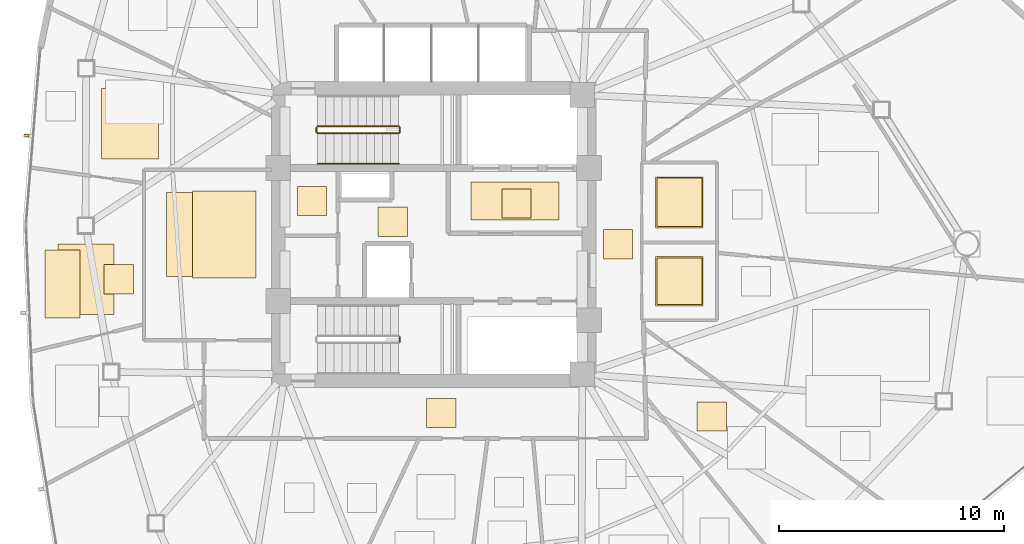
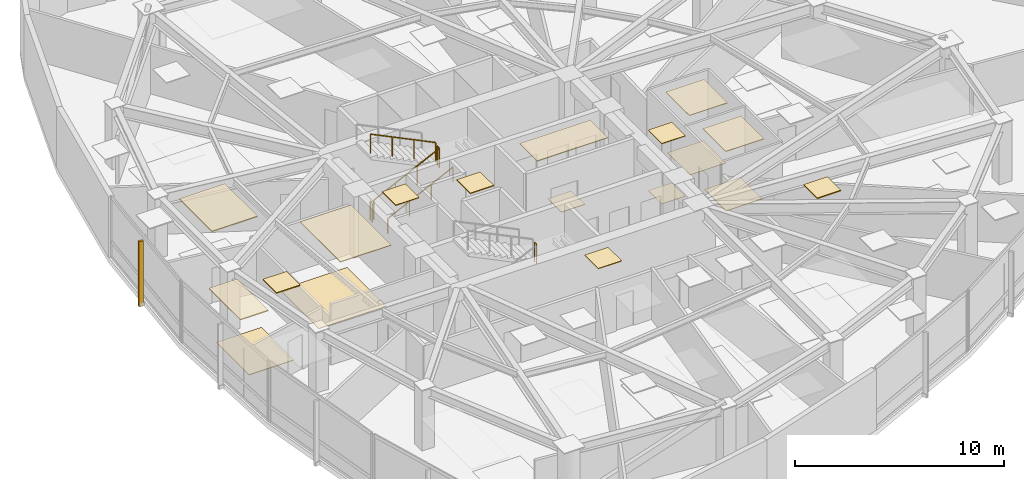
# One storey, part 15 of 17: 18 coverings, 6 railings, 1 shading device.
"""IFC4 building model written with IfcOpenShell, lengths in metres."""

from ifc_helpers import new_model, si_unit, direction, frame, origin, origin_2d, place, context, subcontext, project, spatial, polyline, rectangle, outline, extrude, source, transform, mapped, material, layer, layer_set, type_object, type_shapes, element, save


model = new_model("IFC4")

# Units and contexts
model_context = context("Model", 3, precision=1e-05, world=origin(), true_north=direction((0.0, 1.0)))
body_context = subcontext(model_context, "Body", "Model", "MODEL_VIEW")
ifc_project = project(units=[si_unit("LENGTHUNIT", "METRE"), si_unit("AREAUNIT", "SQUARE_METRE"), si_unit("VOLUMEUNIT", "CUBIC_METRE"), si_unit("PLANEANGLEUNIT", "RADIAN"), si_unit("MASSUNIT", "GRAM", prefix="KILO")], contexts=[model_context])

# Site, building, storey
site_placement = place(None, origin())
site = spatial("IfcSite", under=ifc_project, at=site_placement, CompositionType="ELEMENT")
building_placement = place(site_placement, origin())
building = spatial("IfcBuilding", under=site, at=building_placement, Name="Tavelor Broadcast Tower", CompositionType="ELEMENT")
storey_placement = place(building_placement, frame((0.0, 0.0, 154.10009765625)))
storey = spatial("IfcBuildingStorey", under=building, at=storey_placement, Name="L36", CompositionType="ELEMENT", Elevation=154.10009765625)

# Coverings
ifc_material_1 = material(Name="Copper-Bronze Anodized Aluminium", Category="aluminium")
ifc_layer_1 = layer(ifc_material_1, 0.044921875)
ifc_layer_set_1 = layer_set([ifc_layer_1], Name="Copper-Bronze Anodized Aluminium")
covering_type_1 = type_object("IfcCoveringType", Name="Anodised Bronze Linear Slatted Concourse Ceiling 45 mm", PredefinedType="CEILING", material=ifc_layer_set_1)
covering_1_placement = place(storey_placement, frame((0.0, 0.0, 3.5048828125)))
element("IfcCovering", 1, at=covering_1_placement, inside=storey, type_object=covering_type_1, Name="L36 Suspended Acoustic Ceiling 1466", PredefinedType="CEILING", context=body_context, shape_type="SweptSolid", body=[
    extrude(outline(polyline([(51.659912109375, 45.654296875), (55.55712890625, 45.654296875), (55.55712890625, 47.331787109375), (51.659912109375, 47.331787109375), (51.659912109375, 45.654296875)])), origin(), (0.0, 0.0, 1.0), 0.044921875),
])
covering_2_placement = place(storey_placement, frame((0.0, 0.0, 3.5048828125)))
element("IfcCovering", 2, at=covering_2_placement, inside=storey, type_object=covering_type_1, Name="L36 Suspended Acoustic Ceiling 1467", PredefinedType="CEILING", context=body_context, shape_type="SweptSolid", body=[
    extrude(outline(polyline([(47.5400390625, 44.919921875), (48.840087890625, 44.919921875), (48.840087890625, 46.219970703125), (47.5400390625, 46.219970703125), (47.5400390625, 44.919921875)])), origin(), (0.0, 0.0, 1.0), 0.044921875),
])

# Railing
ifc_material_2 = material(Name="Steel S355", Category="steel")
railing_type_1 = type_object("IfcRailingType", Name="Continuous Brushed Stainless Handrail 900 mm", PredefinedType="HANDRAIL", material=ifc_material_2)
railing_1_placement = place(storey_placement, frame((44.85009765625, 48.14990234375, 0.1748046875)))
element("IfcRailing", 3, at=railing_1_placement, inside=storey, type_object=railing_type_1, Name="L36 ST1 stair handrail 1", PredefinedType="HANDRAIL", context=body_context, shape_type="SweptSolid", body=[
    extrude(rectangle(XDim=0.048095703125, YDim=0.048095703125, at=origin_2d()), frame((0.0, 0.0, 0.8759765625), z_axis=(0.899360859046, 0.0, 0.437207096483), x_axis=(0.0, 1.0, 0.0)), (0.0, 0.0, 1.0), 4.002685546875),
    extrude(rectangle(XDim=0.0419921875, YDim=0.0419921875, at=origin_2d()), origin(), (0.0, 0.0, 1.0), 0.851806640625),
    extrude(rectangle(XDim=0.0419921875, YDim=0.0419921875, at=origin_2d()), frame((1.199951171875, 0.0, 0.583251953125)), (0.0, 0.0, 1.0), 0.851806640625),
    extrude(rectangle(XDim=0.0419921875, YDim=0.0419921875, at=origin_2d()), frame((2.39990234375, 0.0, 1.166748046875)), (0.0, 0.0, 1.0), 0.851806640625),
    extrude(rectangle(XDim=0.0419921875, YDim=0.0419921875, at=origin_2d()), frame((3.599853515625, 0.0, 1.75)), (0.0, 0.0, 1.0), 0.851806640625),
])

# Coverings
ifc_material_3 = material(Name="Architectural Anodized Aluminium", Category="aluminium")
ifc_layer_2 = layer(ifc_material_3, 0.034912109375)
ifc_layer_set_2 = layer_set([ifc_layer_2], Name="Architectural Anodized Aluminium")
covering_type_2 = type_object("IfcCoveringType", Name="Demountable Metal Tile Corridor Ceiling 35 mm", PredefinedType="CEILING", material=ifc_layer_set_2)
covering_3_placement = place(storey_placement, frame((0.0, 0.0, 3.514892578125)))
element("IfcCovering", 4, at=covering_3_placement, inside=storey, type_object=covering_type_2, Name="L36 Suspended Acoustic Ceiling 1469", PredefinedType="CEILING", context=body_context, shape_type="SweptSolid", body=[
    extrude(outline(polyline([(57.5400390625, 43.925048828125), (58.840087890625, 43.925048828125), (58.840087890625, 45.22509765625), (57.5400390625, 45.22509765625), (57.5400390625, 43.925048828125)])), origin(), (0.0, 0.0, 1.0), 0.034912109375),
])
covering_4_placement = place(storey_placement, frame((0.0, 0.0, 3.514892578125)))
element("IfcCovering", 5, at=covering_4_placement, inside=storey, type_object=covering_type_2, Name="L36 Suspended Acoustic Ceiling 1470", PredefinedType="CEILING", context=body_context, shape_type="SweptSolid", body=[
    extrude(outline(polyline([(49.694091796875, 36.425048828125), (50.994140625, 36.425048828125), (50.994140625, 37.72509765625), (49.694091796875, 37.72509765625), (49.694091796875, 36.425048828125)])), origin(), (0.0, 0.0, 1.0), 0.034912109375),
])
ifc_material_4 = material(Name="Acoustic Nylon Carpet Tile")
ifc_layer_3 = layer(ifc_material_4, 0.02001953125)
ifc_layer_set_3 = layer_set([ifc_layer_3], Name="Acoustic Nylon Carpet Tile")
covering_type_3 = type_object("IfcCoveringType", Name="Heavy-Duty Acoustic Broadcast Carpet Tile 20 mm", PredefinedType="FLOORING", material=ifc_layer_set_3)
covering_5_placement = place(storey_placement, origin())
element("IfcCovering", 6, at=covering_5_placement, inside=storey, type_object=covering_type_3, Name="L36 Broadcast Floor Finish 0516", PredefinedType="FLOORING", context=body_context, shape_type="SweptSolid", body=[
    extrude(outline(polyline([(57.5400390625, 43.925048828125), (58.840087890625, 43.925048828125), (58.840087890625, 45.22509765625), (57.5400390625, 45.22509765625), (57.5400390625, 43.925048828125)])), origin(), (0.0, 0.0, 1.0), 0.02001953125),
])
covering_6_placement = place(storey_placement, origin())
element("IfcCovering", 7, at=covering_6_placement, inside=storey, type_object=covering_type_3, Name="L36 Broadcast Floor Finish 0517", PredefinedType="FLOORING", context=body_context, shape_type="SweptSolid", body=[
    extrude(outline(polyline([(38.143798828125, 43.12890625), (41.856201171875, 43.12890625), (41.856201171875, 46.87060546875), (38.143798828125, 46.87060546875), (38.143798828125, 43.12890625)])), origin(), (0.0, 0.0, 1.0), 0.02001953125),
])
ifc_material_5 = material(Name="Honed Natural Limestone Tile", Category="masonry")
ifc_layer_4 = layer(ifc_material_5, 0.030029296875)
ifc_layer_set_4 = layer_set([ifc_layer_4], Name="Honed Natural Limestone Tile")
covering_type_4 = type_object("IfcCoveringType", Name="Honed Jerusalem Limestone Concourse Flooring 30 mm", PredefinedType="FLOORING", material=ifc_layer_set_4)
covering_7_placement = place(storey_placement, origin())
element("IfcCovering", 8, at=covering_7_placement, inside=storey, type_object=covering_type_4, Name="L36 Broadcast Floor Finish 0515", PredefinedType="FLOORING", context=body_context, shape_type="SweptSolid", body=[
    extrude(outline(polyline([(53.030029296875, 45.728515625), (54.330078125, 45.728515625), (54.330078125, 47.028564453125), (53.030029296875, 47.028564453125), (53.030029296875, 45.728515625)])), origin(), (0.0, 0.0, 1.0), 0.02978515625),
])
ifc_material_6 = material(Name="Acoustic Hardwood Studio Flooring", Category="wood")
ifc_layer_5 = layer(ifc_material_6, 0.034912109375)
ifc_layer_set_5 = layer_set([ifc_layer_5], Name="Acoustic Hardwood Studio Flooring")
covering_type_5 = type_object("IfcCoveringType", Name="Isolated Studio Acoustic Elastomeric Floor Finish 35 mm", PredefinedType="FLOORING", material=ifc_layer_set_5)
covering_8_placement = place(storey_placement, origin())
element("IfcCovering", 9, at=covering_8_placement, inside=storey, type_object=covering_type_5, Name="L36 Broadcast Floor Finish 0527", PredefinedType="FLOORING", context=body_context, shape_type="SweptSolid", body=[
    extrude(outline(polyline([(33.31982421875, 41.446044921875), (35.802490234375, 41.446044921875), (35.802490234375, 44.57421875), (33.31982421875, 44.57421875), (33.31982421875, 41.446044921875)])), origin(), (0.0, 0.0, 1.0), 0.034912109375),
])
ifc_material_7 = material(Name="Acoustic Perforated Timber Baffle", Category="wood")
ifc_layer_6 = layer(ifc_material_7, 0.054931640625)
ifc_layer_set_6 = layer_set([ifc_layer_6], Name="Acoustic Perforated Timber Baffle")
covering_type_6 = type_object("IfcCoveringType", Name="Micro-Perforated Acoustic Baffle Studio Ceiling 55 mm", PredefinedType="CEILING", material=ifc_layer_set_6)
covering_9_placement = place(storey_placement, frame((0.0, 0.0, 3.494873046875)))
element("IfcCovering", 10, at=covering_9_placement, inside=storey, type_object=covering_type_6, Name="L36 Suspended Acoustic Ceiling 1478", PredefinedType="CEILING", context=body_context, shape_type="SweptSolid", body=[
    extrude(outline(polyline([(61.705810546875, 36.276123046875), (63.005859375, 36.276123046875), (63.005859375, 37.576171875), (61.705810546875, 37.576171875), (61.705810546875, 36.276123046875)])), origin(), (0.0, 0.0, 1.0), 0.054931640625),
])
covering_10_placement = place(storey_placement, frame((0.0, 0.0, 3.494873046875)))
element("IfcCovering", 11, at=covering_10_placement, inside=storey, type_object=covering_type_6, Name="L36 Suspended Acoustic Ceiling 1496", PredefinedType="CEILING", context=body_context, shape_type="SweptSolid", body=[
    extrude(outline(polyline([(35.36669921875, 42.36865234375), (36.66650390625, 42.36865234375), (36.66650390625, 43.668701171875), (35.36669921875, 43.668701171875), (35.36669921875, 42.36865234375)])), origin(), (0.0, 0.0, 1.0), 0.054931640625),
])
covering_11_placement = place(storey_placement, frame((0.0, 0.0, 3.494873046875)))
element("IfcCovering", 12, at=covering_11_placement, inside=storey, type_object=covering_type_6, Name="L36 Suspended Acoustic Ceiling 1497", PredefinedType="CEILING", context=body_context, shape_type="SweptSolid", body=[
    extrude(outline(polyline([(32.756103515625, 41.30224609375), (34.304443359375, 41.30224609375), (34.304443359375, 44.319580078125), (32.756103515625, 44.319580078125), (32.756103515625, 41.30224609375)])), origin(), (0.0, 0.0, 1.0), 0.054931640625),
])
covering_12_placement = place(storey_placement, frame((0.0, 0.0, 3.494873046875)))
element("IfcCovering", 13, at=covering_12_placement, inside=storey, type_object=covering_type_6, Name="L36 Suspended Acoustic Ceiling 1499", PredefinedType="CEILING", context=body_context, shape_type="SweptSolid", body=[
    extrude(outline(polyline([(35.260498046875, 48.35107421875), (37.779052734375, 48.35107421875), (37.779052734375, 51.484375), (35.260498046875, 51.484375), (35.260498046875, 48.35107421875)])), origin(), (0.0, 0.0, 1.0), 0.054931640625),
])
ifc_layer_7 = layer(ifc_material_3, 0.030029296875)
ifc_layer_set_7 = layer_set([ifc_layer_7], Name="Architectural Anodized Aluminium")
covering_type_7 = type_object("IfcCoveringType", Name="Moisture-Resistant Washroom Ceiling 30 mm", PredefinedType="CEILING", material=ifc_layer_set_7)
covering_13_placement = place(storey_placement, frame((0.0, 0.0, 3.52001953125)))
element("IfcCovering", 14, at=covering_13_placement, inside=storey, type_object=covering_type_7, Name="L36 Suspended Acoustic Ceiling 1472", PredefinedType="CEILING", context=body_context, shape_type="SweptSolid", body=[
    extrude(outline(polyline([(59.85302734375, 41.828369140625), (61.967041015625, 41.828369140625), (61.967041015625, 44.021484375), (59.85302734375, 44.021484375), (59.85302734375, 41.828369140625)])), origin(), (0.0, 0.0, 1.0), 0.02978515625),
])
covering_14_placement = place(storey_placement, frame((0.0, 0.0, 3.52001953125)))
element("IfcCovering", 15, at=covering_14_placement, inside=storey, type_object=covering_type_7, Name="L36 Suspended Acoustic Ceiling 1473", PredefinedType="CEILING", context=body_context, shape_type="SweptSolid", body=[
    extrude(outline(polyline([(59.85302734375, 45.29248046875), (61.967041015625, 45.29248046875), (61.967041015625, 47.5576171875), (59.85302734375, 47.5576171875), (59.85302734375, 45.29248046875)])), origin(), (0.0, 0.0, 1.0), 0.02978515625),
])
ifc_material_8 = material(Name="Slip-Resistant Porcelain Tile")
ifc_layer_8 = layer(ifc_material_8, 0.02490234375)
ifc_layer_set_8 = layer_set([ifc_layer_8], Name="Slip-Resistant Porcelain Tile")
covering_type_8 = type_object("IfcCoveringType", Name="Slip-Resistant Porcelain Wet-Area Floor Tile 25 mm", PredefinedType="FLOORING", material=ifc_layer_set_8)
covering_15_placement = place(storey_placement, origin())
element("IfcCovering", 16, at=covering_15_placement, inside=storey, type_object=covering_type_8, Name="L36 Broadcast Floor Finish 0518", PredefinedType="FLOORING", context=body_context, shape_type="SweptSolid", body=[
    extrude(outline(polyline([(59.91064453125, 41.885986328125), (61.909423828125, 41.885986328125), (61.909423828125, 43.964111328125), (59.91064453125, 43.964111328125), (59.91064453125, 41.885986328125)])), origin(), (0.0, 0.0, 1.0), 0.02490234375),
])
covering_16_placement = place(storey_placement, origin())
element("IfcCovering", 17, at=covering_16_placement, inside=storey, type_object=covering_type_8, Name="L36 Broadcast Floor Finish 0519", PredefinedType="FLOORING", context=body_context, shape_type="SweptSolid", body=[
    extrude(outline(polyline([(59.91064453125, 45.35009765625), (61.909423828125, 45.35009765625), (61.909423828125, 47.5), (59.91064453125, 47.5), (59.91064453125, 45.35009765625)])), origin(), (0.0, 0.0, 1.0), 0.02490234375),
])

# Railings
railing_type_2 = type_object("IfcRailingType", Name="Stairwell Steel Safety Guardrail 1150 mm", PredefinedType="GUARDRAIL", material=ifc_material_2)
railing_2_placement = place(storey_placement, frame((44.85009765625, 49.5, 0.1748046875)))
element("IfcRailing", 18, at=railing_2_placement, inside=storey, type_object=railing_type_2, Name="L36 ST1 stair guard 1", PredefinedType="GUARDRAIL", context=body_context, shape_type="SweptSolid", body=[
    extrude(rectangle(XDim=0.048095703125, YDim=0.048095703125, at=origin_2d()), frame((0.0, 0.0, 1.1259765625), z_axis=(0.899360859046, 0.0, 0.437207096483), x_axis=(0.0, 1.0, 0.0)), (0.0, 0.0, 1.0), 4.002685546875),
    extrude(rectangle(XDim=0.0419921875, YDim=0.0419921875, at=origin_2d()), origin(), (0.0, 0.0, 1.0), 1.101806640625),
    extrude(rectangle(XDim=0.0419921875, YDim=0.0419921875, at=origin_2d()), frame((1.199951171875, 0.0, 0.583251953125)), (0.0, 0.0, 1.0), 1.101806640625),
    extrude(rectangle(XDim=0.0419921875, YDim=0.0419921875, at=origin_2d()), frame((2.39990234375, 0.0, 1.166748046875)), (0.0, 0.0, 1.0), 1.101806640625),
    extrude(rectangle(XDim=0.0419921875, YDim=0.0419921875, at=origin_2d()), frame((3.599853515625, 0.0, 1.75)), (0.0, 0.0, 1.0), 1.101806640625),
])
railing_3_placement = place(storey_placement, frame((48.5, 49.550048828125, 1.9248046875)))
element("IfcRailing", 19, at=railing_3_placement, inside=storey, type_object=railing_type_2, Name="L36 ST1 stair guard 2", PredefinedType="GUARDRAIL", context=body_context, shape_type="SweptSolid", body=[
    extrude(rectangle(XDim=0.048095703125, YDim=0.048095703125, at=origin_2d()), frame((0.0, 0.0, 1.1259765625), z_axis=(0.0, 1.0, 0.0), x_axis=(-1.0, 0.0, 0.0)), (0.0, 0.0, 1.0), 0.199951171875),
    extrude(rectangle(XDim=0.0419921875, YDim=0.0419921875, at=origin_2d()), origin(), (0.0, 0.0, 1.0), 1.101806640625),
    extrude(rectangle(XDim=0.0419921875, YDim=0.0419921875, at=origin_2d()), frame((0.0, 0.199951171875, 0.0)), (0.0, 0.0, 1.0), 1.101806640625),
])
railing_4_placement = place(storey_placement, frame((48.449951171875, 49.800048828125, 2.099853515625)))
element("IfcRailing", 20, at=railing_4_placement, inside=storey, type_object=railing_type_2, Name="L36 ST1 stair guard 3", PredefinedType="GUARDRAIL", context=body_context, shape_type="SweptSolid", body=[
    extrude(rectangle(XDim=0.048095703125, YDim=0.048095703125, at=origin_2d()), frame((0.0, 0.0, 1.1259765625), z_axis=(-0.899360859046, 0.0, 0.437207096483), x_axis=(0.0, -1.0, 0.0)), (0.0, 0.0, 1.0), 4.002685546875),
    extrude(rectangle(XDim=0.0419921875, YDim=0.0419921875, at=origin_2d()), origin(), (0.0, 0.0, 1.0), 1.101806640625),
    extrude(rectangle(XDim=0.0419921875, YDim=0.0419921875, at=origin_2d()), frame((-1.199951171875, 0.0, 0.583251953125)), (0.0, 0.0, 1.0), 1.101806640625),
    extrude(rectangle(XDim=0.0419921875, YDim=0.0419921875, at=origin_2d()), frame((-2.39990234375, 0.0, 1.166748046875)), (0.0, 0.0, 1.0), 1.101806640625),
    extrude(rectangle(XDim=0.0419921875, YDim=0.0419921875, at=origin_2d()), frame((-3.599853515625, 0.0, 1.75)), (0.0, 0.0, 1.0), 1.101806640625),
])
for number, where, name in (
    (21, (44.800048828125, 49.550048828125, 0.0), "L36 ST1 stair guard 4"),
    (22, (48.5, 40.25, 1.9248046875), "L36 ST2 stair guard 2"),
):
    element("IfcRailing", number, at=place(storey_placement, frame(where)), inside=storey, type_object=railing_type_2, Name=name, PredefinedType="GUARDRAIL", context=body_context, shape_type="SweptSolid", body=[
        extrude(rectangle(XDim=0.048095703125, YDim=0.048095703125, at=origin_2d()), frame((0.0, 0.0, 1.1259765625), z_axis=(0.0, 1.0, 0.0), x_axis=(-1.0, 0.0, 0.0)), (0.0, 0.0, 1.0), 0.199951171875),
        extrude(rectangle(XDim=0.0419921875, YDim=0.0419921875, at=origin_2d()), origin(), (0.0, 0.0, 1.0), 1.101806640625),
        extrude(rectangle(XDim=0.0419921875, YDim=0.0419921875, at=origin_2d()), frame((0.0, 0.199951171875, 0.0)), (0.0, 0.0, 1.0), 1.101806640625),
    ])

# Coverings
ifc_material_9 = material(Name="Acoustic Mineral Fibre Tile")
ifc_layer_9 = layer(ifc_material_9, 0.0400390625)
ifc_layer_set_9 = layer_set([ifc_layer_9], Name="Acoustic Mineral Fibre Tile")
covering_type_9 = type_object("IfcCoveringType", Name="Suspended Acoustic Mineral-Fibre Office Ceiling 40 mm", PredefinedType="CEILING", material=ifc_layer_set_9)
covering_17_placement = place(storey_placement, frame((0.0, 0.0, 3.510009765625)))
element("IfcCovering", 23, at=covering_17_placement, inside=storey, type_object=covering_type_9, Name="L36 Suspended Acoustic Ceiling 1468", PredefinedType="CEILING", context=body_context, shape_type="SweptSolid", body=[
    extrude(outline(polyline([(43.951416015625, 45.843017578125), (45.25146484375, 45.843017578125), (45.25146484375, 47.14306640625), (43.951416015625, 47.14306640625), (43.951416015625, 45.843017578125)])), origin(), (0.0, 0.0, 1.0), 0.039794921875),
])
covering_18_placement = place(storey_placement, frame((0.0, 0.0, 3.510009765625)))
element("IfcCovering", 24, at=covering_18_placement, inside=storey, type_object=covering_type_9, Name="L36 Suspended Acoustic Ceiling 1471", PredefinedType="CEILING", context=body_context, shape_type="SweptSolid", body=[
    extrude(outline(polyline([(39.2998046875, 43.0712890625), (42.111328125, 43.0712890625), (42.111328125, 46.927978515625), (39.2998046875, 46.927978515625), (39.2998046875, 43.0712890625)])), origin(), (0.0, 0.0, 1.0), 0.039794921875),
])

# Shading device
ifc_material_10 = material(Name="Kiln-Fired Glazed Terracotta", Category="masonry")
shading_device_type = type_object("IfcShadingDeviceType", Name="Extruded Terracotta Baguette Sun-Screen 110x240", PredefinedType="JALOUSIE", material=ifc_material_10)
shared_shape = source(origin(), body_context, "Body", "SweptSolid", [
    extrude(rectangle(XDim=0.110107421875, YDim=0.239990234375, at=origin_2d()), origin(), (0.0, 0.0, 1.0), 3.7900390625),
])
type_shapes(shading_device_type, [shared_shape])
shading_device_placement = place(storey_placement, frame((31.923828125, 49.3916015625, -0.260009765625), z_axis=(0.0, 0.0, 1.0), x_axis=(-0.081416659306, -0.996680153102, 0.0)))
element("IfcShadingDevice", 25, at=shading_device_placement, inside=storey, type_object=shading_device_type, Name="L36 Terracotta Baguette Fin 361", PredefinedType="JALOUSIE", context=body_context, shape_type="MappedRepresentation", body=[
    mapped(shared_shape, transform((0.0, 0.0, 0.0), scale=1.0)),
])

save(model, "model.ifc")
